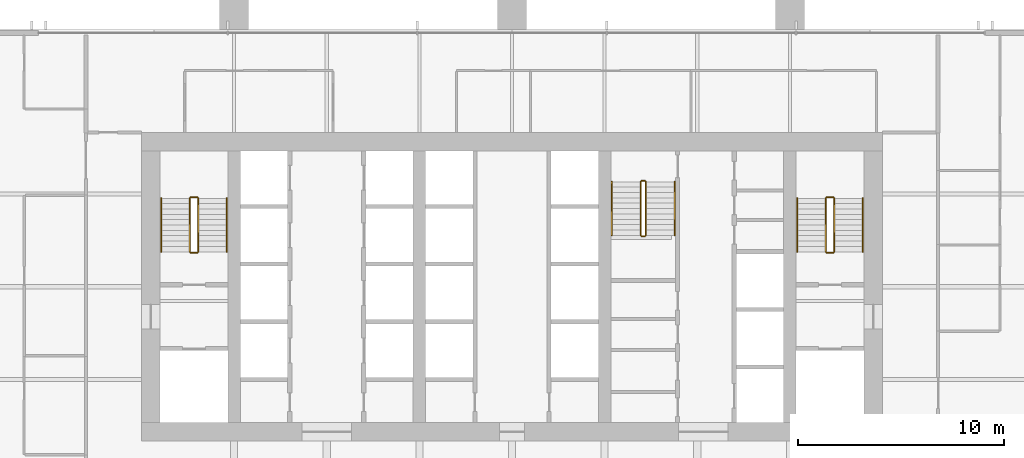
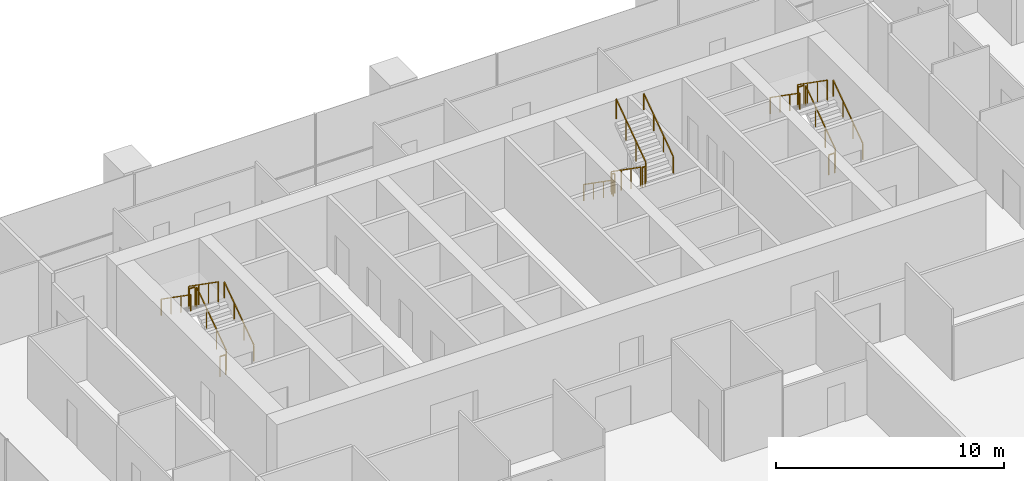
# One storey, part 16 of 16: 18 railings.
"""IFC4 building model written with IfcOpenShell, lengths in metres."""

from ifc_helpers import new_model, si_unit, direction, frame, origin, origin_2d, place, context, subcontext, project, spatial, rectangle, extrude, material, type_object, element, save


model = new_model("IFC4")

# Units and contexts
model_context = context("Model", 3, precision=1e-05, world=origin(), true_north=direction((0.0, 1.0)))
body_context = subcontext(model_context, "Body", "Model", "MODEL_VIEW")
ifc_project = project(units=[si_unit("LENGTHUNIT", "METRE"), si_unit("AREAUNIT", "SQUARE_METRE"), si_unit("VOLUMEUNIT", "CUBIC_METRE"), si_unit("PLANEANGLEUNIT", "RADIAN"), si_unit("MASSUNIT", "GRAM", prefix="KILO")], contexts=[model_context])

# Site, building, storey
site_placement = place(None, origin())
site = spatial("IfcSite", under=ifc_project, at=site_placement, CompositionType="ELEMENT")
building_placement = place(site_placement, origin())
building = spatial("IfcBuilding", under=site, at=building_placement, Name="Rattan Terrace Tower", CompositionType="ELEMENT")
storey_placement = place(building_placement, frame((0.0, 0.0, 130.10009765625)))
storey = spatial("IfcBuildingStorey", under=building, at=storey_placement, Name="L29", CompositionType="ELEMENT", Elevation=130.10009765625)

# Railings
ifc_material_1 = material(Name="Powder-coated steel guard", Category="steel")
railing_type_1 = type_object("IfcRailingType", Name="Core stair guard", PredefinedType="GUARDRAIL", material=ifc_material_1)
railing_1_placement = place(storey_placement, frame((-15.25, 1.699951171875, 0.181640625)))
element("IfcRailing", 1, at=railing_1_placement, inside=storey, type_object=railing_type_1, Name="L29 S1 stair guard 1", PredefinedType="GUARDRAIL", context=body_context, shape_type="SweptSolid", body=[
    extrude(rectangle(XDim=0.048095703125, YDim=0.048095703125, at=origin_2d()), frame((0.0, 0.0, 1.076171875), z_axis=(0.0, 0.819484887739, 0.573100792852), x_axis=(-1.0, 0.0, 0.0)), (0.0, 0.0, 1.0), 3.1728515625),
    extrude(rectangle(XDim=0.0419921875, YDim=0.0419921875, at=origin_2d()), origin(), (0.0, 0.0, 1.0), 1.052001953125),
    extrude(rectangle(XDim=0.0419921875, YDim=0.0419921875, at=origin_2d()), frame((0.0, 0.86669921875, 0.606201171875)), (0.0, 0.0, 1.0), 1.052001953125),
    extrude(rectangle(XDim=0.0419921875, YDim=0.0419921875, at=origin_2d()), frame((0.0, 1.7333984375, 1.212158203125)), (0.0, 0.0, 1.0), 1.052001953125),
    extrude(rectangle(XDim=0.0419921875, YDim=0.0419921875, at=origin_2d()), frame((0.0, 2.60009765625, 1.818359375)), (0.0, 0.0, 1.0), 1.052001953125),
])
railing_2_placement = place(storey_placement, frame((-15.300048828125, 4.35009765625, 2.0)))
element("IfcRailing", 2, at=railing_2_placement, inside=storey, type_object=railing_type_1, Name="L29 S1 stair guard 2", PredefinedType="GUARDRAIL", context=body_context, shape_type="SweptSolid", body=[
    extrude(rectangle(XDim=0.048095703125, YDim=0.048095703125, at=origin_2d()), frame((0.0, 0.0, 1.076171875), z_axis=(-1.0, 0.0, 0.0), x_axis=(0.0, -1.0, 0.0)), (0.0, 0.0, 1.0), 0.300048828125),
    extrude(rectangle(XDim=0.0419921875, YDim=0.0419921875, at=origin_2d()), origin(), (0.0, 0.0, 1.0), 1.052001953125),
    extrude(rectangle(XDim=0.0419921875, YDim=0.0419921875, at=origin_2d()), frame((-0.300048828125, 0.0, 0.0)), (0.0, 0.0, 1.0), 1.052001953125),
])
railing_3_placement = place(storey_placement, frame((-15.64990234375, 4.300048828125, 2.181640625)))
element("IfcRailing", 3, at=railing_3_placement, inside=storey, type_object=railing_type_1, Name="L29 S1 stair guard 3", PredefinedType="GUARDRAIL", context=body_context, shape_type="SweptSolid", body=[
    extrude(rectangle(XDim=0.048095703125, YDim=0.048095703125, at=origin_2d()), frame((0.0, 0.0, 1.076171875), z_axis=(0.0, -0.819484887739, 0.573100792852), x_axis=(1.0, 0.0, 0.0)), (0.0, 0.0, 1.0), 3.1728515625),
    extrude(rectangle(XDim=0.0419921875, YDim=0.0419921875, at=origin_2d()), origin(), (0.0, 0.0, 1.0), 1.052001953125),
    extrude(rectangle(XDim=0.0419921875, YDim=0.0419921875, at=origin_2d()), frame((0.0, -0.86669921875, 0.606201171875)), (0.0, 0.0, 1.0), 1.052001953125),
    extrude(rectangle(XDim=0.0419921875, YDim=0.0419921875, at=origin_2d()), frame((0.0, -1.7333984375, 1.212158203125)), (0.0, 0.0, 1.0), 1.052001953125),
    extrude(rectangle(XDim=0.0419921875, YDim=0.0419921875, at=origin_2d()), frame((0.0, -2.60009765625, 1.818359375)), (0.0, 0.0, 1.0), 1.052001953125),
])
railing_4_placement = place(storey_placement, frame((-15.300048828125, 1.64990234375, 0.0)))
element("IfcRailing", 4, at=railing_4_placement, inside=storey, type_object=railing_type_1, Name="L29 S1 stair guard 4", PredefinedType="GUARDRAIL", context=body_context, shape_type="SweptSolid", body=[
    extrude(rectangle(XDim=0.048095703125, YDim=0.048095703125, at=origin_2d()), frame((0.0, 0.0, 1.076171875), z_axis=(-1.0, 0.0, 0.0), x_axis=(0.0, -1.0, 0.0)), (0.0, 0.0, 1.0), 0.300048828125),
    extrude(rectangle(XDim=0.0419921875, YDim=0.0419921875, at=origin_2d()), origin(), (0.0, 0.0, 1.0), 1.052001953125),
    extrude(rectangle(XDim=0.0419921875, YDim=0.0419921875, at=origin_2d()), frame((-0.300048828125, 0.0, 0.0)), (0.0, 0.0, 1.0), 1.052001953125),
])
railing_5_placement = place(storey_placement, frame((15.64990234375, 1.699951171875, 0.181640625)))
element("IfcRailing", 5, at=railing_5_placement, inside=storey, type_object=railing_type_1, Name="L29 S2 stair guard 1", PredefinedType="GUARDRAIL", context=body_context, shape_type="SweptSolid", body=[
    extrude(rectangle(XDim=0.048095703125, YDim=0.048095703125, at=origin_2d()), frame((0.0, 0.0, 1.076171875), z_axis=(0.0, 0.819484887739, 0.573100792852), x_axis=(-1.0, 0.0, 0.0)), (0.0, 0.0, 1.0), 3.1728515625),
    extrude(rectangle(XDim=0.0419921875, YDim=0.0419921875, at=origin_2d()), origin(), (0.0, 0.0, 1.0), 1.052001953125),
    extrude(rectangle(XDim=0.0419921875, YDim=0.0419921875, at=origin_2d()), frame((0.0, 0.86669921875, 0.606201171875)), (0.0, 0.0, 1.0), 1.052001953125),
    extrude(rectangle(XDim=0.0419921875, YDim=0.0419921875, at=origin_2d()), frame((0.0, 1.7333984375, 1.212158203125)), (0.0, 0.0, 1.0), 1.052001953125),
    extrude(rectangle(XDim=0.0419921875, YDim=0.0419921875, at=origin_2d()), frame((0.0, 2.60009765625, 1.818359375)), (0.0, 0.0, 1.0), 1.052001953125),
])
railing_6_placement = place(storey_placement, frame((15.60009765625, 4.35009765625, 2.0)))
element("IfcRailing", 6, at=railing_6_placement, inside=storey, type_object=railing_type_1, Name="L29 S2 stair guard 2", PredefinedType="GUARDRAIL", context=body_context, shape_type="SweptSolid", body=[
    extrude(rectangle(XDim=0.048095703125, YDim=0.048095703125, at=origin_2d()), frame((0.0, 0.0, 1.076171875), z_axis=(-1.0, 0.0, 0.0), x_axis=(0.0, -1.0, 0.0)), (0.0, 0.0, 1.0), 0.300048828125),
    extrude(rectangle(XDim=0.0419921875, YDim=0.0419921875, at=origin_2d()), origin(), (0.0, 0.0, 1.0), 1.052001953125),
    extrude(rectangle(XDim=0.0419921875, YDim=0.0419921875, at=origin_2d()), frame((-0.300048828125, 0.0, 0.0)), (0.0, 0.0, 1.0), 1.052001953125),
])
railing_7_placement = place(storey_placement, frame((15.25, 4.300048828125, 2.181640625)))
element("IfcRailing", 7, at=railing_7_placement, inside=storey, type_object=railing_type_1, Name="L29 S2 stair guard 3", PredefinedType="GUARDRAIL", context=body_context, shape_type="SweptSolid", body=[
    extrude(rectangle(XDim=0.048095703125, YDim=0.048095703125, at=origin_2d()), frame((0.0, 0.0, 1.076171875), z_axis=(0.0, -0.819484887739, 0.573100792852), x_axis=(1.0, 0.0, 0.0)), (0.0, 0.0, 1.0), 3.1728515625),
    extrude(rectangle(XDim=0.0419921875, YDim=0.0419921875, at=origin_2d()), origin(), (0.0, 0.0, 1.0), 1.052001953125),
    extrude(rectangle(XDim=0.0419921875, YDim=0.0419921875, at=origin_2d()), frame((0.0, -0.86669921875, 0.606201171875)), (0.0, 0.0, 1.0), 1.052001953125),
    extrude(rectangle(XDim=0.0419921875, YDim=0.0419921875, at=origin_2d()), frame((0.0, -1.7333984375, 1.212158203125)), (0.0, 0.0, 1.0), 1.052001953125),
    extrude(rectangle(XDim=0.0419921875, YDim=0.0419921875, at=origin_2d()), frame((0.0, -2.60009765625, 1.818359375)), (0.0, 0.0, 1.0), 1.052001953125),
])
railing_8_placement = place(storey_placement, frame((15.60009765625, 1.64990234375, 0.0)))
element("IfcRailing", 8, at=railing_8_placement, inside=storey, type_object=railing_type_1, Name="L29 S2 stair guard 4", PredefinedType="GUARDRAIL", context=body_context, shape_type="SweptSolid", body=[
    extrude(rectangle(XDim=0.048095703125, YDim=0.048095703125, at=origin_2d()), frame((0.0, 0.0, 1.076171875), z_axis=(-1.0, 0.0, 0.0), x_axis=(0.0, -1.0, 0.0)), (0.0, 0.0, 1.0), 0.300048828125),
    extrude(rectangle(XDim=0.0419921875, YDim=0.0419921875, at=origin_2d()), origin(), (0.0, 0.0, 1.0), 1.052001953125),
    extrude(rectangle(XDim=0.0419921875, YDim=0.0419921875, at=origin_2d()), frame((-0.300048828125, 0.0, 0.0)), (0.0, 0.0, 1.0), 1.052001953125),
])
railing_9_placement = place(storey_placement, frame((6.25, 5.10009765625, 0.181640625)))
element("IfcRailing", 9, at=railing_9_placement, inside=storey, type_object=railing_type_1, Name="L29 S3 stair guard 1", PredefinedType="GUARDRAIL", context=body_context, shape_type="SweptSolid", body=[
    extrude(rectangle(XDim=0.048095703125, YDim=0.048095703125, at=origin_2d()), frame((0.0, 0.0, 1.076171875), z_axis=(0.0, -0.819484887739, 0.573100792852), x_axis=(1.0, 0.0, 0.0)), (0.0, 0.0, 1.0), 3.1728515625),
    extrude(rectangle(XDim=0.0419921875, YDim=0.0419921875, at=origin_2d()), origin(), (0.0, 0.0, 1.0), 1.052001953125),
    extrude(rectangle(XDim=0.0419921875, YDim=0.0419921875, at=origin_2d()), frame((0.0, -0.86669921875, 0.606201171875)), (0.0, 0.0, 1.0), 1.052001953125),
    extrude(rectangle(XDim=0.0419921875, YDim=0.0419921875, at=origin_2d()), frame((0.0, -1.7333984375, 1.212158203125)), (0.0, 0.0, 1.0), 1.052001953125),
    extrude(rectangle(XDim=0.0419921875, YDim=0.0419921875, at=origin_2d()), frame((0.0, -2.60009765625, 1.818359375)), (0.0, 0.0, 1.0), 1.052001953125),
])
railing_10_placement = place(storey_placement, frame((6.300048828125, 2.449951171875, 2.0)))
element("IfcRailing", 10, at=railing_10_placement, inside=storey, type_object=railing_type_1, Name="L29 S3 stair guard 2", PredefinedType="GUARDRAIL", context=body_context, shape_type="SweptSolid", body=[
    extrude(rectangle(XDim=0.048095703125, YDim=0.048095703125, at=origin_2d()), frame((0.0, 0.0, 1.076171875), z_axis=(1.0, 0.0, 0.0), x_axis=(0.0, 1.0, 0.0)), (0.0, 0.0, 1.0), 0.14990234375),
    extrude(rectangle(XDim=0.0419921875, YDim=0.0419921875, at=origin_2d()), origin(), (0.0, 0.0, 1.0), 1.052001953125),
    extrude(rectangle(XDim=0.0419921875, YDim=0.0419921875, at=origin_2d()), frame((0.14990234375, 0.0, 0.0)), (0.0, 0.0, 1.0), 1.052001953125),
])
railing_11_placement = place(storey_placement, frame((6.5, 2.5, 2.181640625)))
element("IfcRailing", 11, at=railing_11_placement, inside=storey, type_object=railing_type_1, Name="L29 S3 stair guard 3", PredefinedType="GUARDRAIL", context=body_context, shape_type="SweptSolid", body=[
    extrude(rectangle(XDim=0.048095703125, YDim=0.048095703125, at=origin_2d()), frame((0.0, 0.0, 1.076171875), z_axis=(0.0, 0.819484887739, 0.573100792852), x_axis=(-1.0, 0.0, 0.0)), (0.0, 0.0, 1.0), 3.1728515625),
    extrude(rectangle(XDim=0.0419921875, YDim=0.0419921875, at=origin_2d()), origin(), (0.0, 0.0, 1.0), 1.052001953125),
    extrude(rectangle(XDim=0.0419921875, YDim=0.0419921875, at=origin_2d()), frame((0.0, 0.86669921875, 0.606201171875)), (0.0, 0.0, 1.0), 1.052001953125),
    extrude(rectangle(XDim=0.0419921875, YDim=0.0419921875, at=origin_2d()), frame((0.0, 1.7333984375, 1.212158203125)), (0.0, 0.0, 1.0), 1.052001953125),
    extrude(rectangle(XDim=0.0419921875, YDim=0.0419921875, at=origin_2d()), frame((0.0, 2.60009765625, 1.818359375)), (0.0, 0.0, 1.0), 1.052001953125),
])
railing_12_placement = place(storey_placement, frame((6.300048828125, 5.14990234375, 0.0)))
element("IfcRailing", 12, at=railing_12_placement, inside=storey, type_object=railing_type_1, Name="L29 S3 stair guard 4", PredefinedType="GUARDRAIL", context=body_context, shape_type="SweptSolid", body=[
    extrude(rectangle(XDim=0.048095703125, YDim=0.048095703125, at=origin_2d()), frame((0.0, 0.0, 1.076171875), z_axis=(1.0, 0.0, 0.0), x_axis=(0.0, 1.0, 0.0)), (0.0, 0.0, 1.0), 0.14990234375),
    extrude(rectangle(XDim=0.0419921875, YDim=0.0419921875, at=origin_2d()), origin(), (0.0, 0.0, 1.0), 1.052001953125),
    extrude(rectangle(XDim=0.0419921875, YDim=0.0419921875, at=origin_2d()), frame((0.14990234375, 0.0, 0.0)), (0.0, 0.0, 1.0), 1.052001953125),
])
ifc_material_2 = material(Name="Powder-coated steel handrail", Category="steel")
railing_type_2 = type_object("IfcRailingType", Name="Core stair handrail", PredefinedType="HANDRAIL", material=ifc_material_2)
railing_13_placement = place(storey_placement, frame((-13.85009765625, 1.699951171875, 0.181640625)))
element("IfcRailing", 13, at=railing_13_placement, inside=storey, type_object=railing_type_2, Name="L29 S1 stair handrail 1", PredefinedType="HANDRAIL", context=body_context, shape_type="SweptSolid", body=[
    extrude(rectangle(XDim=0.048095703125, YDim=0.048095703125, at=origin_2d()), frame((0.0, 0.0, 0.8759765625), z_axis=(0.0, 0.819484887739, 0.573100792852), x_axis=(-1.0, 0.0, 0.0)), (0.0, 0.0, 1.0), 3.1728515625),
    extrude(rectangle(XDim=0.0419921875, YDim=0.0419921875, at=origin_2d()), origin(), (0.0, 0.0, 1.0), 0.851806640625),
    extrude(rectangle(XDim=0.0419921875, YDim=0.0419921875, at=origin_2d()), frame((0.0, 0.86669921875, 0.606201171875)), (0.0, 0.0, 1.0), 0.851806640625),
    extrude(rectangle(XDim=0.0419921875, YDim=0.0419921875, at=origin_2d()), frame((0.0, 1.7333984375, 1.212158203125)), (0.0, 0.0, 1.0), 0.851806640625),
    extrude(rectangle(XDim=0.0419921875, YDim=0.0419921875, at=origin_2d()), frame((0.0, 2.60009765625, 1.818359375)), (0.0, 0.0, 1.0), 0.851806640625),
])
railing_14_placement = place(storey_placement, frame((-17.050048828125, 4.300048828125, 2.181640625)))
element("IfcRailing", 14, at=railing_14_placement, inside=storey, type_object=railing_type_2, Name="L29 S1 stair handrail 2", PredefinedType="HANDRAIL", context=body_context, shape_type="SweptSolid", body=[
    extrude(rectangle(XDim=0.048095703125, YDim=0.048095703125, at=origin_2d()), frame((0.0, 0.0, 0.8759765625), z_axis=(0.0, -0.819484887739, 0.573100792852), x_axis=(1.0, 0.0, 0.0)), (0.0, 0.0, 1.0), 3.1728515625),
    extrude(rectangle(XDim=0.0419921875, YDim=0.0419921875, at=origin_2d()), origin(), (0.0, 0.0, 1.0), 0.851806640625),
    extrude(rectangle(XDim=0.0419921875, YDim=0.0419921875, at=origin_2d()), frame((0.0, -0.86669921875, 0.606201171875)), (0.0, 0.0, 1.0), 0.851806640625),
    extrude(rectangle(XDim=0.0419921875, YDim=0.0419921875, at=origin_2d()), frame((0.0, -1.7333984375, 1.212158203125)), (0.0, 0.0, 1.0), 0.851806640625),
    extrude(rectangle(XDim=0.0419921875, YDim=0.0419921875, at=origin_2d()), frame((0.0, -2.60009765625, 1.818359375)), (0.0, 0.0, 1.0), 0.851806640625),
])
railing_15_placement = place(storey_placement, frame((17.050048828125, 1.699951171875, 0.181640625)))
element("IfcRailing", 15, at=railing_15_placement, inside=storey, type_object=railing_type_2, Name="L29 S2 stair handrail 1", PredefinedType="HANDRAIL", context=body_context, shape_type="SweptSolid", body=[
    extrude(rectangle(XDim=0.048095703125, YDim=0.048095703125, at=origin_2d()), frame((0.0, 0.0, 0.8759765625), z_axis=(0.0, 0.819484887739, 0.573100792852), x_axis=(-1.0, 0.0, 0.0)), (0.0, 0.0, 1.0), 3.1728515625),
    extrude(rectangle(XDim=0.0419921875, YDim=0.0419921875, at=origin_2d()), origin(), (0.0, 0.0, 1.0), 0.851806640625),
    extrude(rectangle(XDim=0.0419921875, YDim=0.0419921875, at=origin_2d()), frame((0.0, 0.86669921875, 0.606201171875)), (0.0, 0.0, 1.0), 0.851806640625),
    extrude(rectangle(XDim=0.0419921875, YDim=0.0419921875, at=origin_2d()), frame((0.0, 1.7333984375, 1.212158203125)), (0.0, 0.0, 1.0), 0.851806640625),
    extrude(rectangle(XDim=0.0419921875, YDim=0.0419921875, at=origin_2d()), frame((0.0, 2.60009765625, 1.818359375)), (0.0, 0.0, 1.0), 0.851806640625),
])
for number, where, name in (
    (16, (13.85009765625, 4.300048828125, 2.181640625), "L29 S2 stair handrail 2"),
    (17, (4.85009765625, 5.10009765625, 0.181640625), "L29 S3 stair handrail 1"),
):
    element("IfcRailing", number, at=place(storey_placement, frame(where)), inside=storey, type_object=railing_type_2, Name=name, PredefinedType="HANDRAIL", context=body_context, shape_type="SweptSolid", body=[
        extrude(rectangle(XDim=0.048095703125, YDim=0.048095703125, at=origin_2d()), frame((0.0, 0.0, 0.8759765625), z_axis=(0.0, -0.819484887739, 0.573100792852), x_axis=(1.0, 0.0, 0.0)), (0.0, 0.0, 1.0), 3.1728515625),
        extrude(rectangle(XDim=0.0419921875, YDim=0.0419921875, at=origin_2d()), origin(), (0.0, 0.0, 1.0), 0.851806640625),
        extrude(rectangle(XDim=0.0419921875, YDim=0.0419921875, at=origin_2d()), frame((0.0, -0.86669921875, 0.606201171875)), (0.0, 0.0, 1.0), 0.851806640625),
        extrude(rectangle(XDim=0.0419921875, YDim=0.0419921875, at=origin_2d()), frame((0.0, -1.7333984375, 1.212158203125)), (0.0, 0.0, 1.0), 0.851806640625),
        extrude(rectangle(XDim=0.0419921875, YDim=0.0419921875, at=origin_2d()), frame((0.0, -2.60009765625, 1.818359375)), (0.0, 0.0, 1.0), 0.851806640625),
    ])
railing_16_placement = place(storey_placement, frame((7.89990234375, 2.5, 2.181640625)))
element("IfcRailing", 18, at=railing_16_placement, inside=storey, type_object=railing_type_2, Name="L29 S3 stair handrail 2", PredefinedType="HANDRAIL", context=body_context, shape_type="SweptSolid", body=[
    extrude(rectangle(XDim=0.048095703125, YDim=0.048095703125, at=origin_2d()), frame((0.0, 0.0, 0.8759765625), z_axis=(0.0, 0.819484887739, 0.573100792852), x_axis=(-1.0, 0.0, 0.0)), (0.0, 0.0, 1.0), 3.1728515625),
    extrude(rectangle(XDim=0.0419921875, YDim=0.0419921875, at=origin_2d()), origin(), (0.0, 0.0, 1.0), 0.851806640625),
    extrude(rectangle(XDim=0.0419921875, YDim=0.0419921875, at=origin_2d()), frame((0.0, 0.86669921875, 0.606201171875)), (0.0, 0.0, 1.0), 0.851806640625),
    extrude(rectangle(XDim=0.0419921875, YDim=0.0419921875, at=origin_2d()), frame((0.0, 1.7333984375, 1.212158203125)), (0.0, 0.0, 1.0), 0.851806640625),
    extrude(rectangle(XDim=0.0419921875, YDim=0.0419921875, at=origin_2d()), frame((0.0, 2.60009765625, 1.818359375)), (0.0, 0.0, 1.0), 0.851806640625),
])

save(model, "model.ifc")
